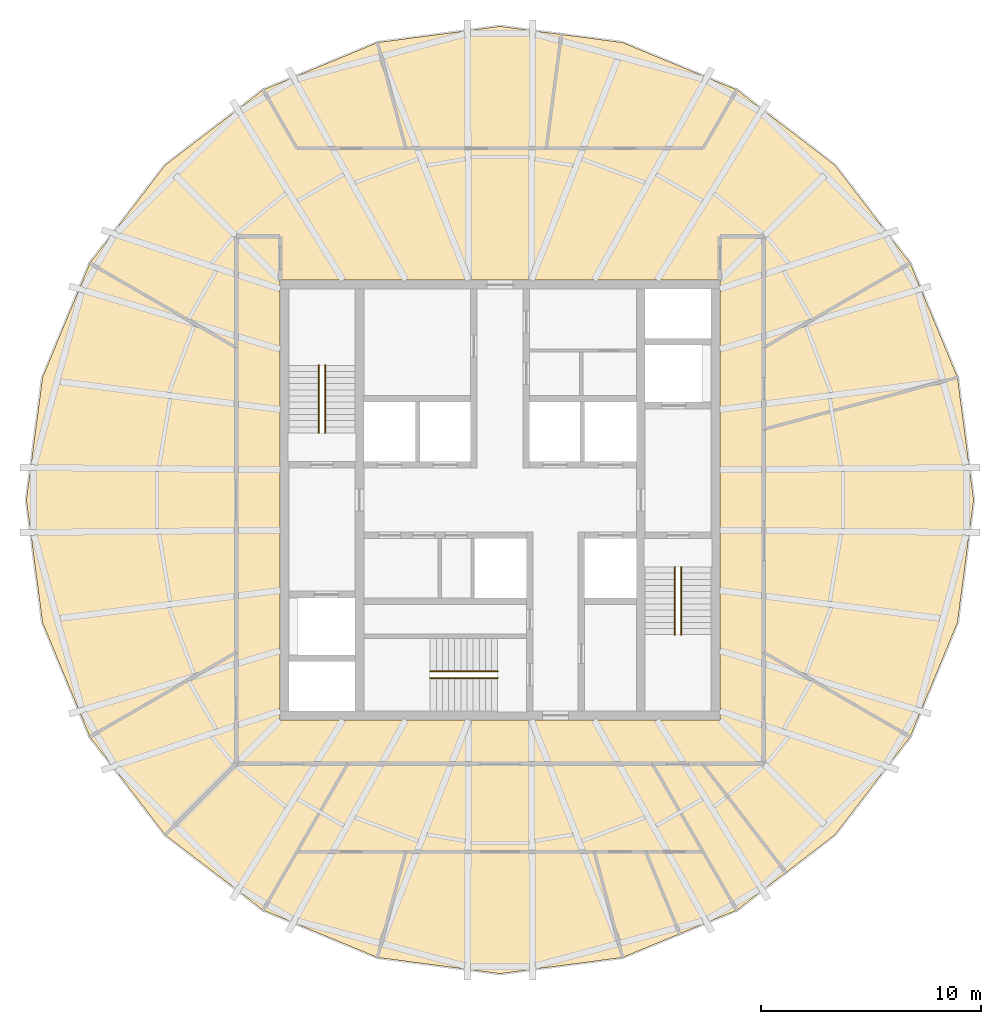
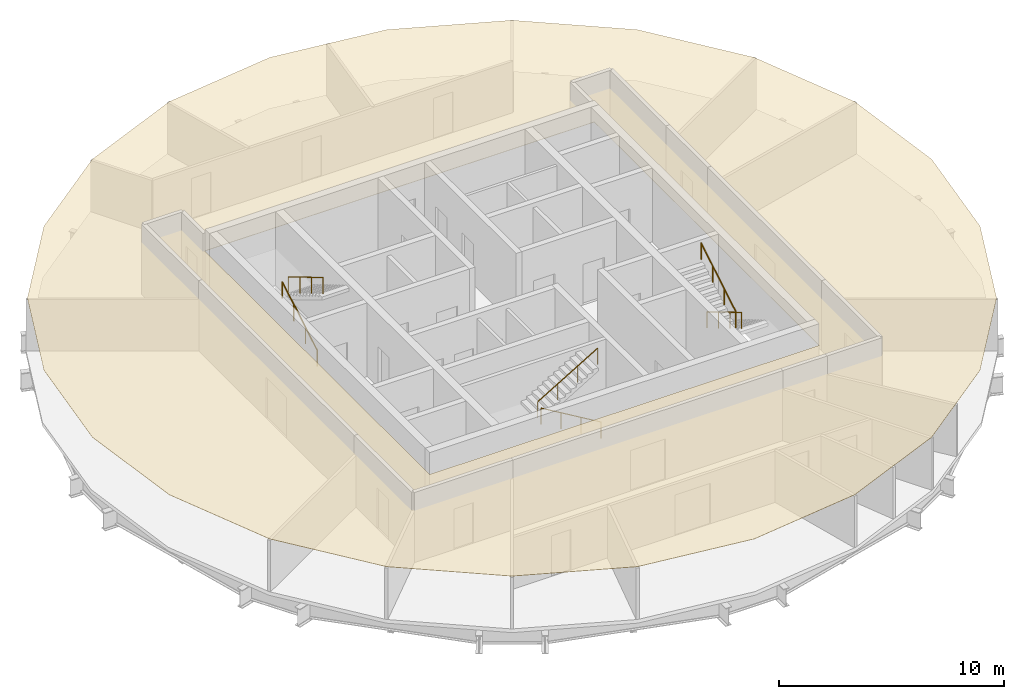
# One storey, part 6 of 6: 6 railings, 1 covering.
"""IFC4 building model written with IfcOpenShell, lengths in metres."""

from ifc_helpers import new_model, si_unit, direction, frame, origin, origin_2d, place, context, subcontext, project, spatial, polyline, circle, outline, extrude, material, layer, layer_set, type_object, element, save


model = new_model("IFC4")

# Units and contexts
model_context = context("Model", 3, precision=1e-05, world=origin(), true_north=direction((0.0, 1.0)))
body_context = subcontext(model_context, "Body", "Model", "MODEL_VIEW")
ifc_project = project(units=[si_unit("LENGTHUNIT", "METRE"), si_unit("AREAUNIT", "SQUARE_METRE"), si_unit("VOLUMEUNIT", "CUBIC_METRE"), si_unit("PLANEANGLEUNIT", "RADIAN"), si_unit("MASSUNIT", "GRAM", prefix="KILO")], contexts=[model_context])

# Site, building, storey
site_placement = place(None, origin())
site = spatial("IfcSite", under=ifc_project, at=site_placement, CompositionType="ELEMENT")
building_placement = place(site_placement, origin())
building = spatial("IfcBuilding", under=site, at=building_placement, Name="Golbaran Civic Tower", CompositionType="ELEMENT")
storey_placement = place(building_placement, frame((0.0, 0.0, 276.0)))
storey = spatial("IfcBuildingStorey", under=building, at=storey_placement, Name="L67", CompositionType="ELEMENT", Elevation=276.0)

# Railings
ifc_material_1 = material(Name="Stainless steel", Category="steel")
railing_type = type_object("IfcRailingType", Name="STAIR HANDRAIL 900", PredefinedType="HANDRAIL", material=ifc_material_1)
railing_1_placement = place(storey_placement, frame((-8.25, 3.050048828125, 0.166748046875)))
element("IfcRailing", 1, at=railing_1_placement, inside=storey, type_object=railing_type, Name="Stair S1 handrail flight 1 L67", PredefinedType="HANDRAIL", context=body_context, shape_type="SweptSolid", body=[
    extrude(circle(Radius=0.02392578125, at=origin_2d()), frame((0.0, 0.0, 0.8759765625), z_axis=(0.0, 0.859290745958, 0.51148745235), x_axis=(-1.0, 0.0, 0.0)), (0.0, 0.0, 1.0), 3.584228515625),
    extrude(circle(Radius=0.02099609375, at=origin_2d()), origin(), (0.0, 0.0, 1.0), 0.851806640625),
    extrude(circle(Radius=0.02099609375, at=origin_2d()), frame((0.0, 1.026611328125, 0.611083984375)), (0.0, 0.0, 1.0), 0.851806640625),
    extrude(circle(Radius=0.02099609375, at=origin_2d()), frame((0.0, 2.05322265625, 1.22216796875)), (0.0, 0.0, 1.0), 0.851806640625),
    extrude(circle(Radius=0.02099609375, at=origin_2d()), frame((0.0, 3.079833984375, 1.833251953125)), (0.0, 0.0, 1.0), 0.851806640625),
])
for number, where, name in (
    (2, (-7.949951171875, 6.1298828125, 2.166748046875), "Stair S1 handrail flight 2 L67"),
    (3, (8.25, -3.050048828125, 0.166748046875), "Stair S2 handrail flight 1 L67"),
):
    element("IfcRailing", number, at=place(storey_placement, frame(where)), inside=storey, type_object=railing_type, Name=name, PredefinedType="HANDRAIL", context=body_context, shape_type="SweptSolid", body=[
        extrude(circle(Radius=0.02392578125, at=origin_2d()), frame((0.0, 0.0, 0.8759765625), z_axis=(0.0, -0.859290745958, 0.51148745235), x_axis=(1.0, 0.0, 0.0)), (0.0, 0.0, 1.0), 3.584228515625),
        extrude(circle(Radius=0.02099609375, at=origin_2d()), origin(), (0.0, 0.0, 1.0), 0.851806640625),
        extrude(circle(Radius=0.02099609375, at=origin_2d()), frame((0.0, -1.026611328125, 0.611083984375)), (0.0, 0.0, 1.0), 0.851806640625),
        extrude(circle(Radius=0.02099609375, at=origin_2d()), frame((0.0, -2.05322265625, 1.22216796875)), (0.0, 0.0, 1.0), 0.851806640625),
        extrude(circle(Radius=0.02099609375, at=origin_2d()), frame((0.0, -3.079833984375, 1.833251953125)), (0.0, 0.0, 1.0), 0.851806640625),
    ])
railing_2_placement = place(storey_placement, frame((7.949951171875, -6.1298828125, 2.166748046875)))
element("IfcRailing", 4, at=railing_2_placement, inside=storey, type_object=railing_type, Name="Stair S2 handrail flight 2 L67", PredefinedType="HANDRAIL", context=body_context, shape_type="SweptSolid", body=[
    extrude(circle(Radius=0.02392578125, at=origin_2d()), frame((0.0, 0.0, 0.8759765625), z_axis=(0.0, 0.859290745958, 0.51148745235), x_axis=(-1.0, 0.0, 0.0)), (0.0, 0.0, 1.0), 3.584228515625),
    extrude(circle(Radius=0.02099609375, at=origin_2d()), origin(), (0.0, 0.0, 1.0), 0.851806640625),
    extrude(circle(Radius=0.02099609375, at=origin_2d()), frame((0.0, 1.026611328125, 0.611083984375)), (0.0, 0.0, 1.0), 0.851806640625),
    extrude(circle(Radius=0.02099609375, at=origin_2d()), frame((0.0, 2.05322265625, 1.22216796875)), (0.0, 0.0, 1.0), 0.851806640625),
    extrude(circle(Radius=0.02099609375, at=origin_2d()), frame((0.0, 3.079833984375, 1.833251953125)), (0.0, 0.0, 1.0), 0.851806640625),
])
railing_3_placement = place(storey_placement, frame((-0.10009765625, -8.10009765625, 0.166748046875)))
element("IfcRailing", 5, at=railing_3_placement, inside=storey, type_object=railing_type, Name="Stair S3 handrail flight 1 L67", PredefinedType="HANDRAIL", context=body_context, shape_type="SweptSolid", body=[
    extrude(circle(Radius=0.02392578125, at=origin_2d()), frame((0.0, 0.0, 0.8759765625), z_axis=(-0.859290745958, 0.0, 0.51148745235), x_axis=(0.0, -1.0, 0.0)), (0.0, 0.0, 1.0), 3.584228515625),
    extrude(circle(Radius=0.02099609375, at=origin_2d()), origin(), (0.0, 0.0, 1.0), 0.851806640625),
    extrude(circle(Radius=0.02099609375, at=origin_2d()), frame((-1.026611328125, 0.0, 0.611083984375)), (0.0, 0.0, 1.0), 0.851806640625),
    extrude(circle(Radius=0.02099609375, at=origin_2d()), frame((-2.05322265625, 0.0, 1.22216796875)), (0.0, 0.0, 1.0), 0.851806640625),
    extrude(circle(Radius=0.02099609375, at=origin_2d()), frame((-3.079833984375, 0.0, 1.833251953125)), (0.0, 0.0, 1.0), 0.851806640625),
])
railing_4_placement = place(storey_placement, frame((-3.179931640625, -7.800048828125, 2.166748046875)))
element("IfcRailing", 6, at=railing_4_placement, inside=storey, type_object=railing_type, Name="Stair S3 handrail flight 2 L67", PredefinedType="HANDRAIL", context=body_context, shape_type="SweptSolid", body=[
    extrude(circle(Radius=0.02392578125, at=origin_2d()), frame((0.0, 0.0, 0.8759765625), z_axis=(0.859290745958, 0.0, 0.51148745235), x_axis=(0.0, 1.0, 0.0)), (0.0, 0.0, 1.0), 3.584228515625),
    extrude(circle(Radius=0.02099609375, at=origin_2d()), origin(), (0.0, 0.0, 1.0), 0.851806640625),
    extrude(circle(Radius=0.02099609375, at=origin_2d()), frame((1.026611328125, 0.0, 0.611083984375)), (0.0, 0.0, 1.0), 0.851806640625),
    extrude(circle(Radius=0.02099609375, at=origin_2d()), frame((2.05322265625, 0.0, 1.22216796875)), (0.0, 0.0, 1.0), 0.851806640625),
    extrude(circle(Radius=0.02099609375, at=origin_2d()), frame((3.079833984375, 0.0, 1.833251953125)), (0.0, 0.0, 1.0), 0.851806640625),
])

# Covering
ifc_material_2 = material(Name="Mineral fibre tile on steel grid", Category="steel")
ifc_layer = layer(ifc_material_2, 0.02001953125, Name="Mineral fibre tile on steel grid")
ifc_layer_set = layer_set([ifc_layer], Name="Mineral fibre tile on steel grid")
covering_type = type_object("IfcCoveringType", Name="SUSPENDED CEILING 600 TILE 20", PredefinedType="CEILING", material=ifc_layer_set)
covering_placement = place(storey_placement, frame((0.0, 0.0, 2.800048828125)))
element("IfcCovering", 7, at=covering_placement, inside=storey, type_object=covering_type, Name="Suspended ceiling L67", PredefinedType="CEILING", context=body_context, shape_type="SweptSolid", body=[
    extrude(outline(polyline([(-20.814697265625, 5.577392578125), (-18.661865234375, 10.7744140625), (-15.237548828125, 15.237548828125), (-10.7744140625, 18.661865234375), (-5.577392578125, 20.814697265625), (0.0, 21.549072265625), (5.577392578125, 20.814697265625), (10.7744140625, 18.661865234375), (15.237548828125, 15.237548828125), (18.661865234375, 10.7744140625), (20.814697265625, 5.577392578125), (21.549072265625, 0.0), (20.814697265625, -5.577392578125), (18.661865234375, -10.7744140625), (15.237548828125, -15.237548828125), (10.7744140625, -18.661865234375), (5.577392578125, -20.814697265625), (0.0, -21.549072265625), (-5.577392578125, -20.814697265625), (-10.7744140625, -18.661865234375), (-15.237548828125, -15.237548828125), (-18.661865234375, -10.7744140625), (-20.814697265625, -5.577392578125), (-21.549072265625, 0.0), (-20.814697265625, 5.577392578125)]), holes=[polyline([(-10.0, 10.0), (-10.0, -10.0), (10.0, -10.0), (10.0, 10.0), (-10.0, 10.0)])]), origin(), (0.0, 0.0, 1.0), 0.02001953125),
])

save(model, "model.ifc")
